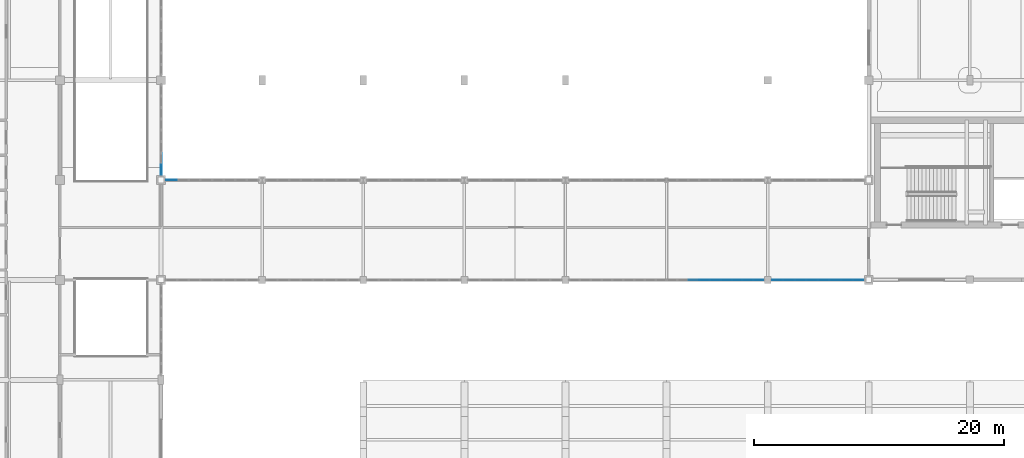
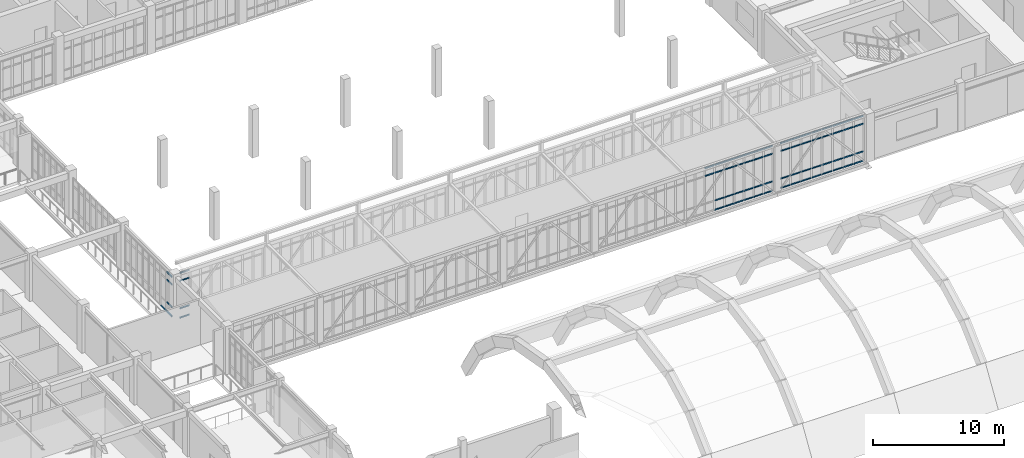
# One storey, part 24 of 67: 67 members, 4 elements without a shape of their own.
"""IFC4 building model written with IfcOpenShell, lengths in metres."""

from ifc_helpers import new_model, si_unit, direction, frame, origin, origin_2d, place, context, subcontext, project, spatial, rectangle, extrude, material, material_profile, profile_set, type_object, element, aggregate, save


model = new_model("IFC4")

# Units and contexts
model_context = context("Model", 3, precision=1e-05, world=origin(), true_north=direction((0.0, 1.0)))
body_context = subcontext(model_context, "Body", "Model", "MODEL_VIEW")
ifc_project = project(units=[si_unit("LENGTHUNIT", "METRE"), si_unit("AREAUNIT", "SQUARE_METRE"), si_unit("VOLUMEUNIT", "CUBIC_METRE"), si_unit("PLANEANGLEUNIT", "RADIAN"), si_unit("MASSUNIT", "GRAM", prefix="KILO")], contexts=[model_context])

# Site, building, storey
site_placement = place(None, origin())
site = spatial("IfcSite", under=ifc_project, at=site_placement, CompositionType="ELEMENT")
building_placement = place(site_placement, origin())
building = spatial("IfcBuilding", under=site, at=building_placement, Name="Tarnveldt Square Police Headquarters", CompositionType="ELEMENT")
storey_placement = place(building_placement, frame((0.0, 0.0, 10.199951171875)))
storey = spatial("IfcBuildingStorey", under=building, at=storey_placement, Name="L02", CompositionType="ELEMENT", Elevation=10.199951171875)

# Curtain wall, members
ifc_material_1 = material(Name="Triple-glazed low-e laminated vision glass", Category="glass")
curtain_wall_type_1 = type_object("IfcCurtainWallType", Name="CW-SB-781x424", PredefinedType="USERDEFINED", material=ifc_material_1)
curtain_wall_1_placement = place(storey_placement, origin())
curtain_wall_1 = element("IfcCurtainWall", 1, at=curtain_wall_1_placement, inside=storey, type_object=curtain_wall_type_1, Name="L02 Curtain Wall CW-L02-143", ObjectType="GLAZED CURTAIN WALL", PredefinedType="USERDEFINED")
ifc_material_2 = material(Name="Thermally broken anodised aluminium 6063-T6", Category="aluminium")
ifc_material_profile_1 = material_profile(ifc_material_2, rectangle(XDim=0.06494140625, YDim=0.1201171875, at=origin_2d()), Name="CW-T65x120")
ifc_profile_set_1 = profile_set([ifc_material_profile_1], Name="Thermally broken anodised aluminium 6063-T6")
member_type_1 = type_object("IfcMemberType", Name="CWT-65x120", PredefinedType="USERDEFINED", material=ifc_profile_set_1)
member_1_placement = place(storey_placement, frame((90.8681640625, 56.0, 3.489990234375), z_axis=(1.0, 0.0, 0.0), x_axis=(0.0, 1.0, 0.0)))
member_1 = element("IfcMember", 2, at=member_1_placement, type_object=member_type_1, Name="CW-SB87 transom 3.3", ObjectType="TRANSOM", PredefinedType="USERDEFINED", context=body_context, shape_type="SweptSolid", body=[
    extrude(rectangle(XDim=0.06494140625, YDim=0.1201171875, at=origin_2d()), origin(), (0.0, 0.0, 1.0), 0.802734375),
])
member_2_placement = place(storey_placement, frame((90.8681640625, 56.0, 4.20751953125), z_axis=(1.0, 0.0, 0.0), x_axis=(0.0, 1.0, 0.0)))
member_2 = element("IfcMember", 3, at=member_2_placement, type_object=member_type_1, Name="CW-SB87 transom 3.4", ObjectType="TRANSOM", PredefinedType="USERDEFINED", context=body_context, shape_type="SweptSolid", body=[
    extrude(rectangle(XDim=0.06494140625, YDim=0.1201171875, at=origin_2d()), origin(), (0.0, 0.0, 1.0), 0.802734375),
])
member_3_placement = place(storey_placement, frame((91.73583984375, 56.0, 0.032470703125), z_axis=(1.0, 0.0, 0.0), x_axis=(0.0, 1.0, 0.0)))
member_3 = element("IfcMember", 4, at=member_3_placement, type_object=member_type_1, Name="CW-SB87 transom 4.1", ObjectType="TRANSOM", PredefinedType="USERDEFINED", context=body_context, shape_type="SweptSolid", body=[
    extrude(rectangle(XDim=0.06494140625, YDim=0.1201171875, at=origin_2d()), origin(), (0.0, 0.0, 1.0), 0.802734375),
])
member_4_placement = place(storey_placement, frame((91.73583984375, 56.0, 0.900146484375), z_axis=(1.0, 0.0, 0.0), x_axis=(0.0, 1.0, 0.0)))
member_4 = element("IfcMember", 5, at=member_4_placement, type_object=member_type_1, Name="CW-SB87 transom 4.2", ObjectType="TRANSOM", PredefinedType="USERDEFINED", context=body_context, shape_type="SweptSolid", body=[
    extrude(rectangle(XDim=0.06494140625, YDim=0.1201171875, at=origin_2d()), origin(), (0.0, 0.0, 1.0), 0.802734375),
])
member_5_placement = place(storey_placement, frame((91.73583984375, 56.0, 3.489990234375), z_axis=(1.0, 0.0, 0.0), x_axis=(0.0, 1.0, 0.0)))
member_5 = element("IfcMember", 6, at=member_5_placement, type_object=member_type_1, Name="CW-SB87 transom 4.3", ObjectType="TRANSOM", PredefinedType="USERDEFINED", context=body_context, shape_type="SweptSolid", body=[
    extrude(rectangle(XDim=0.06494140625, YDim=0.1201171875, at=origin_2d()), origin(), (0.0, 0.0, 1.0), 0.802734375),
])
member_6_placement = place(storey_placement, frame((91.73583984375, 56.0, 4.20751953125), z_axis=(1.0, 0.0, 0.0), x_axis=(0.0, 1.0, 0.0)))
member_6 = element("IfcMember", 7, at=member_6_placement, type_object=member_type_1, Name="CW-SB87 transom 4.4", ObjectType="TRANSOM", PredefinedType="USERDEFINED", context=body_context, shape_type="SweptSolid", body=[
    extrude(rectangle(XDim=0.06494140625, YDim=0.1201171875, at=origin_2d()), origin(), (0.0, 0.0, 1.0), 0.802734375),
])
member_7_placement = place(storey_placement, frame((92.603515625, 56.0, 0.032470703125), z_axis=(1.0, 0.0, 0.0), x_axis=(0.0, 1.0, 0.0)))
member_7 = element("IfcMember", 8, at=member_7_placement, type_object=member_type_1, Name="CW-SB87 transom 5.1", ObjectType="TRANSOM", PredefinedType="USERDEFINED", context=body_context, shape_type="SweptSolid", body=[
    extrude(rectangle(XDim=0.06494140625, YDim=0.1201171875, at=origin_2d()), origin(), (0.0, 0.0, 1.0), 0.802978515625),
])
member_8_placement = place(storey_placement, frame((92.603515625, 56.0, 0.900146484375), z_axis=(1.0, 0.0, 0.0), x_axis=(0.0, 1.0, 0.0)))
member_8 = element("IfcMember", 9, at=member_8_placement, type_object=member_type_1, Name="CW-SB87 transom 5.2", ObjectType="TRANSOM", PredefinedType="USERDEFINED", context=body_context, shape_type="SweptSolid", body=[
    extrude(rectangle(XDim=0.06494140625, YDim=0.1201171875, at=origin_2d()), origin(), (0.0, 0.0, 1.0), 0.802978515625),
])
member_9_placement = place(storey_placement, frame((92.603515625, 56.0, 3.489990234375), z_axis=(1.0, 0.0, 0.0), x_axis=(0.0, 1.0, 0.0)))
member_9 = element("IfcMember", 10, at=member_9_placement, type_object=member_type_1, Name="CW-SB87 transom 5.3", ObjectType="TRANSOM", PredefinedType="USERDEFINED", context=body_context, shape_type="SweptSolid", body=[
    extrude(rectangle(XDim=0.06494140625, YDim=0.1201171875, at=origin_2d()), origin(), (0.0, 0.0, 1.0), 0.802978515625),
])
member_10_placement = place(storey_placement, frame((92.603515625, 56.0, 4.20751953125), z_axis=(1.0, 0.0, 0.0), x_axis=(0.0, 1.0, 0.0)))
member_10 = element("IfcMember", 11, at=member_10_placement, type_object=member_type_1, Name="CW-SB87 transom 5.4", ObjectType="TRANSOM", PredefinedType="USERDEFINED", context=body_context, shape_type="SweptSolid", body=[
    extrude(rectangle(XDim=0.06494140625, YDim=0.1201171875, at=origin_2d()), origin(), (0.0, 0.0, 1.0), 0.802978515625),
])
member_11_placement = place(storey_placement, frame((93.471435546875, 56.0, 0.032470703125), z_axis=(1.0, 0.0, 0.0), x_axis=(0.0, 1.0, 0.0)))
member_11 = element("IfcMember", 12, at=member_11_placement, type_object=member_type_1, Name="CW-SB87 transom 6.1", ObjectType="TRANSOM", PredefinedType="USERDEFINED", context=body_context, shape_type="SweptSolid", body=[
    extrude(rectangle(XDim=0.06494140625, YDim=0.1201171875, at=origin_2d()), origin(), (0.0, 0.0, 1.0), 0.802734375),
])
member_12_placement = place(storey_placement, frame((93.471435546875, 56.0, 0.900146484375), z_axis=(1.0, 0.0, 0.0), x_axis=(0.0, 1.0, 0.0)))
member_12 = element("IfcMember", 13, at=member_12_placement, type_object=member_type_1, Name="CW-SB87 transom 6.2", ObjectType="TRANSOM", PredefinedType="USERDEFINED", context=body_context, shape_type="SweptSolid", body=[
    extrude(rectangle(XDim=0.06494140625, YDim=0.1201171875, at=origin_2d()), origin(), (0.0, 0.0, 1.0), 0.802734375),
])
member_13_placement = place(storey_placement, frame((93.471435546875, 56.0, 3.489990234375), z_axis=(1.0, 0.0, 0.0), x_axis=(0.0, 1.0, 0.0)))
member_13 = element("IfcMember", 14, at=member_13_placement, type_object=member_type_1, Name="CW-SB87 transom 6.3", ObjectType="TRANSOM", PredefinedType="USERDEFINED", context=body_context, shape_type="SweptSolid", body=[
    extrude(rectangle(XDim=0.06494140625, YDim=0.1201171875, at=origin_2d()), origin(), (0.0, 0.0, 1.0), 0.802734375),
])
member_14_placement = place(storey_placement, frame((93.471435546875, 56.0, 4.20751953125), z_axis=(1.0, 0.0, 0.0), x_axis=(0.0, 1.0, 0.0)))
member_14 = element("IfcMember", 15, at=member_14_placement, type_object=member_type_1, Name="CW-SB87 transom 6.4", ObjectType="TRANSOM", PredefinedType="USERDEFINED", context=body_context, shape_type="SweptSolid", body=[
    extrude(rectangle(XDim=0.06494140625, YDim=0.1201171875, at=origin_2d()), origin(), (0.0, 0.0, 1.0), 0.802734375),
])
member_15_placement = place(storey_placement, frame((94.339111328125, 56.0, 0.032470703125), z_axis=(1.0, 0.0, 0.0), x_axis=(0.0, 1.0, 0.0)))
member_15 = element("IfcMember", 16, at=member_15_placement, type_object=member_type_1, Name="CW-SB87 transom 7.1", ObjectType="TRANSOM", PredefinedType="USERDEFINED", context=body_context, shape_type="SweptSolid", body=[
    extrude(rectangle(XDim=0.06494140625, YDim=0.1201171875, at=origin_2d()), origin(), (0.0, 0.0, 1.0), 0.802734375),
])
member_16_placement = place(storey_placement, frame((94.339111328125, 56.0, 0.900146484375), z_axis=(1.0, 0.0, 0.0), x_axis=(0.0, 1.0, 0.0)))
member_16 = element("IfcMember", 17, at=member_16_placement, type_object=member_type_1, Name="CW-SB87 transom 7.2", ObjectType="TRANSOM", PredefinedType="USERDEFINED", context=body_context, shape_type="SweptSolid", body=[
    extrude(rectangle(XDim=0.06494140625, YDim=0.1201171875, at=origin_2d()), origin(), (0.0, 0.0, 1.0), 0.802734375),
])
member_17_placement = place(storey_placement, frame((94.339111328125, 56.0, 3.489990234375), z_axis=(1.0, 0.0, 0.0), x_axis=(0.0, 1.0, 0.0)))
member_17 = element("IfcMember", 18, at=member_17_placement, type_object=member_type_1, Name="CW-SB87 transom 7.3", ObjectType="TRANSOM", PredefinedType="USERDEFINED", context=body_context, shape_type="SweptSolid", body=[
    extrude(rectangle(XDim=0.06494140625, YDim=0.1201171875, at=origin_2d()), origin(), (0.0, 0.0, 1.0), 0.802734375),
])
member_18_placement = place(storey_placement, frame((94.339111328125, 56.0, 4.20751953125), z_axis=(1.0, 0.0, 0.0), x_axis=(0.0, 1.0, 0.0)))
member_18 = element("IfcMember", 19, at=member_18_placement, type_object=member_type_1, Name="CW-SB87 transom 7.4", ObjectType="TRANSOM", PredefinedType="USERDEFINED", context=body_context, shape_type="SweptSolid", body=[
    extrude(rectangle(XDim=0.06494140625, YDim=0.1201171875, at=origin_2d()), origin(), (0.0, 0.0, 1.0), 0.802734375),
])
member_19_placement = place(storey_placement, frame((95.20703125, 56.0, 0.032470703125), z_axis=(1.0, 0.0, 0.0), x_axis=(0.0, 1.0, 0.0)))
member_19 = element("IfcMember", 20, at=member_19_placement, type_object=member_type_1, Name="CW-SB87 transom 8.1", ObjectType="TRANSOM", PredefinedType="USERDEFINED", context=body_context, shape_type="SweptSolid", body=[
    extrude(rectangle(XDim=0.06494140625, YDim=0.1201171875, at=origin_2d()), origin(), (0.0, 0.0, 1.0), 0.802734375),
])
member_20_placement = place(storey_placement, frame((95.20703125, 56.0, 0.900146484375), z_axis=(1.0, 0.0, 0.0), x_axis=(0.0, 1.0, 0.0)))
member_20 = element("IfcMember", 21, at=member_20_placement, type_object=member_type_1, Name="CW-SB87 transom 8.2", ObjectType="TRANSOM", PredefinedType="USERDEFINED", context=body_context, shape_type="SweptSolid", body=[
    extrude(rectangle(XDim=0.06494140625, YDim=0.1201171875, at=origin_2d()), origin(), (0.0, 0.0, 1.0), 0.802734375),
])
member_21_placement = place(storey_placement, frame((95.20703125, 56.0, 3.489990234375), z_axis=(1.0, 0.0, 0.0), x_axis=(0.0, 1.0, 0.0)))
member_21 = element("IfcMember", 22, at=member_21_placement, type_object=member_type_1, Name="CW-SB87 transom 8.3", ObjectType="TRANSOM", PredefinedType="USERDEFINED", context=body_context, shape_type="SweptSolid", body=[
    extrude(rectangle(XDim=0.06494140625, YDim=0.1201171875, at=origin_2d()), origin(), (0.0, 0.0, 1.0), 0.802734375),
])
member_22_placement = place(storey_placement, frame((95.20703125, 56.0, 4.20751953125), z_axis=(1.0, 0.0, 0.0), x_axis=(0.0, 1.0, 0.0)))
member_22 = element("IfcMember", 23, at=member_22_placement, type_object=member_type_1, Name="CW-SB87 transom 8.4", ObjectType="TRANSOM", PredefinedType="USERDEFINED", context=body_context, shape_type="SweptSolid", body=[
    extrude(rectangle(XDim=0.06494140625, YDim=0.1201171875, at=origin_2d()), origin(), (0.0, 0.0, 1.0), 0.802734375),
])
member_23_placement = place(storey_placement, frame((96.07470703125, 56.0, 0.032470703125), z_axis=(1.0, 0.0, 0.0), x_axis=(0.0, 1.0, 0.0)))
member_23 = element("IfcMember", 24, at=member_23_placement, type_object=member_type_1, Name="CW-SB87 transom 9.1", ObjectType="TRANSOM", PredefinedType="USERDEFINED", context=body_context, shape_type="SweptSolid", body=[
    extrude(rectangle(XDim=0.06494140625, YDim=0.1201171875, at=origin_2d()), origin(), (0.0, 0.0, 1.0), 0.770263671875),
])
member_24_placement = place(storey_placement, frame((96.07470703125, 56.0, 0.900146484375), z_axis=(1.0, 0.0, 0.0), x_axis=(0.0, 1.0, 0.0)))
member_24 = element("IfcMember", 25, at=member_24_placement, type_object=member_type_1, Name="CW-SB87 transom 9.2", ObjectType="TRANSOM", PredefinedType="USERDEFINED", context=body_context, shape_type="SweptSolid", body=[
    extrude(rectangle(XDim=0.06494140625, YDim=0.1201171875, at=origin_2d()), origin(), (0.0, 0.0, 1.0), 0.770263671875),
])
member_25_placement = place(storey_placement, frame((96.07470703125, 56.0, 3.489990234375), z_axis=(1.0, 0.0, 0.0), x_axis=(0.0, 1.0, 0.0)))
member_25 = element("IfcMember", 26, at=member_25_placement, type_object=member_type_1, Name="CW-SB87 transom 9.3", ObjectType="TRANSOM", PredefinedType="USERDEFINED", context=body_context, shape_type="SweptSolid", body=[
    extrude(rectangle(XDim=0.06494140625, YDim=0.1201171875, at=origin_2d()), origin(), (0.0, 0.0, 1.0), 0.770263671875),
])
member_26_placement = place(storey_placement, frame((96.07470703125, 56.0, 4.20751953125), z_axis=(1.0, 0.0, 0.0), x_axis=(0.0, 1.0, 0.0)))
member_26 = element("IfcMember", 27, at=member_26_placement, type_object=member_type_1, Name="CW-SB87 transom 9.4", ObjectType="TRANSOM", PredefinedType="USERDEFINED", context=body_context, shape_type="SweptSolid", body=[
    extrude(rectangle(XDim=0.06494140625, YDim=0.1201171875, at=origin_2d()), origin(), (0.0, 0.0, 1.0), 0.770263671875),
])
aggregate(curtain_wall_1, [member_1, member_2, member_3, member_4, member_5, member_6, member_7, member_8, member_9, member_10, member_11, member_12, member_13, member_14, member_15, member_16, member_17, member_18, member_19, member_20, member_21, member_22, member_23, member_24, member_25, member_26])

curtain_wall_type_2 = type_object("IfcCurtainWallType", Name="CW-SB-745x424", PredefinedType="USERDEFINED", material=ifc_material_1)
curtain_wall_2_placement = place(storey_placement, origin())
curtain_wall_2 = element("IfcCurtainWall", 28, at=curtain_wall_2_placement, inside=storey, type_object=curtain_wall_type_2, Name="L02 Curtain Wall CW-L02-144", ObjectType="GLAZED CURTAIN WALL", PredefinedType="USERDEFINED")
member_27_placement = place(storey_placement, frame((97.554931640625, 56.0, 0.032470703125), z_axis=(1.0, 0.0, 0.0), x_axis=(0.0, 1.0, 0.0)))
member_27 = element("IfcMember", 29, at=member_27_placement, type_object=member_type_1, Name="CW-SB88 transom 1.1", ObjectType="TRANSOM", PredefinedType="USERDEFINED", context=body_context, shape_type="SweptSolid", body=[
    extrude(rectangle(XDim=0.06494140625, YDim=0.1201171875, at=origin_2d()), origin(), (0.0, 0.0, 1.0), 0.833251953125),
])
member_28_placement = place(storey_placement, frame((97.554931640625, 56.0, 0.900146484375), z_axis=(1.0, 0.0, 0.0), x_axis=(0.0, 1.0, 0.0)))
member_28 = element("IfcMember", 30, at=member_28_placement, type_object=member_type_1, Name="CW-SB88 transom 1.2", ObjectType="TRANSOM", PredefinedType="USERDEFINED", context=body_context, shape_type="SweptSolid", body=[
    extrude(rectangle(XDim=0.06494140625, YDim=0.1201171875, at=origin_2d()), origin(), (0.0, 0.0, 1.0), 0.833251953125),
])
member_29_placement = place(storey_placement, frame((97.554931640625, 56.0, 3.489990234375), z_axis=(1.0, 0.0, 0.0), x_axis=(0.0, 1.0, 0.0)))
member_29 = element("IfcMember", 31, at=member_29_placement, type_object=member_type_1, Name="CW-SB88 transom 1.3", ObjectType="TRANSOM", PredefinedType="USERDEFINED", context=body_context, shape_type="SweptSolid", body=[
    extrude(rectangle(XDim=0.06494140625, YDim=0.1201171875, at=origin_2d()), origin(), (0.0, 0.0, 1.0), 0.833251953125),
])
member_30_placement = place(storey_placement, frame((97.554931640625, 56.0, 4.20751953125), z_axis=(1.0, 0.0, 0.0), x_axis=(0.0, 1.0, 0.0)))
member_30 = element("IfcMember", 32, at=member_30_placement, type_object=member_type_1, Name="CW-SB88 transom 1.4", ObjectType="TRANSOM", PredefinedType="USERDEFINED", context=body_context, shape_type="SweptSolid", body=[
    extrude(rectangle(XDim=0.06494140625, YDim=0.1201171875, at=origin_2d()), origin(), (0.0, 0.0, 1.0), 0.833251953125),
])
member_31_placement = place(storey_placement, frame((98.453125, 56.0, 0.032470703125), z_axis=(1.0, 0.0, 0.0), x_axis=(0.0, 1.0, 0.0)))
member_31 = element("IfcMember", 33, at=member_31_placement, type_object=member_type_1, Name="CW-SB88 transom 2.1", ObjectType="TRANSOM", PredefinedType="USERDEFINED", context=body_context, shape_type="SweptSolid", body=[
    extrude(rectangle(XDim=0.06494140625, YDim=0.1201171875, at=origin_2d()), origin(), (0.0, 0.0, 1.0), 0.86572265625),
])
member_32_placement = place(storey_placement, frame((98.453125, 56.0, 0.900146484375), z_axis=(1.0, 0.0, 0.0), x_axis=(0.0, 1.0, 0.0)))
member_32 = element("IfcMember", 34, at=member_32_placement, type_object=member_type_1, Name="CW-SB88 transom 2.2", ObjectType="TRANSOM", PredefinedType="USERDEFINED", context=body_context, shape_type="SweptSolid", body=[
    extrude(rectangle(XDim=0.06494140625, YDim=0.1201171875, at=origin_2d()), origin(), (0.0, 0.0, 1.0), 0.86572265625),
])
member_33_placement = place(storey_placement, frame((98.453125, 56.0, 3.489990234375), z_axis=(1.0, 0.0, 0.0), x_axis=(0.0, 1.0, 0.0)))
member_33 = element("IfcMember", 35, at=member_33_placement, type_object=member_type_1, Name="CW-SB88 transom 2.3", ObjectType="TRANSOM", PredefinedType="USERDEFINED", context=body_context, shape_type="SweptSolid", body=[
    extrude(rectangle(XDim=0.06494140625, YDim=0.1201171875, at=origin_2d()), origin(), (0.0, 0.0, 1.0), 0.86572265625),
])
member_34_placement = place(storey_placement, frame((98.453125, 56.0, 4.20751953125), z_axis=(1.0, 0.0, 0.0), x_axis=(0.0, 1.0, 0.0)))
member_34 = element("IfcMember", 36, at=member_34_placement, type_object=member_type_1, Name="CW-SB88 transom 2.4", ObjectType="TRANSOM", PredefinedType="USERDEFINED", context=body_context, shape_type="SweptSolid", body=[
    extrude(rectangle(XDim=0.06494140625, YDim=0.1201171875, at=origin_2d()), origin(), (0.0, 0.0, 1.0), 0.86572265625),
])
member_35_placement = place(storey_placement, frame((99.3837890625, 56.0, 0.032470703125), z_axis=(1.0, 0.0, 0.0), x_axis=(0.0, 1.0, 0.0)))
member_35 = element("IfcMember", 37, at=member_35_placement, type_object=member_type_1, Name="CW-SB88 transom 3.1", ObjectType="TRANSOM", PredefinedType="USERDEFINED", context=body_context, shape_type="SweptSolid", body=[
    extrude(rectangle(XDim=0.06494140625, YDim=0.1201171875, at=origin_2d()), origin(), (0.0, 0.0, 1.0), 0.865478515625),
])
member_36_placement = place(storey_placement, frame((99.3837890625, 56.0, 0.900146484375), z_axis=(1.0, 0.0, 0.0), x_axis=(0.0, 1.0, 0.0)))
member_36 = element("IfcMember", 38, at=member_36_placement, type_object=member_type_1, Name="CW-SB88 transom 3.2", ObjectType="TRANSOM", PredefinedType="USERDEFINED", context=body_context, shape_type="SweptSolid", body=[
    extrude(rectangle(XDim=0.06494140625, YDim=0.1201171875, at=origin_2d()), origin(), (0.0, 0.0, 1.0), 0.865478515625),
])
member_37_placement = place(storey_placement, frame((99.3837890625, 56.0, 3.489990234375), z_axis=(1.0, 0.0, 0.0), x_axis=(0.0, 1.0, 0.0)))
member_37 = element("IfcMember", 39, at=member_37_placement, type_object=member_type_1, Name="CW-SB88 transom 3.3", ObjectType="TRANSOM", PredefinedType="USERDEFINED", context=body_context, shape_type="SweptSolid", body=[
    extrude(rectangle(XDim=0.06494140625, YDim=0.1201171875, at=origin_2d()), origin(), (0.0, 0.0, 1.0), 0.865478515625),
])
member_38_placement = place(storey_placement, frame((99.3837890625, 56.0, 4.20751953125), z_axis=(1.0, 0.0, 0.0), x_axis=(0.0, 1.0, 0.0)))
member_38 = element("IfcMember", 40, at=member_38_placement, type_object=member_type_1, Name="CW-SB88 transom 3.4", ObjectType="TRANSOM", PredefinedType="USERDEFINED", context=body_context, shape_type="SweptSolid", body=[
    extrude(rectangle(XDim=0.06494140625, YDim=0.1201171875, at=origin_2d()), origin(), (0.0, 0.0, 1.0), 0.865478515625),
])
member_39_placement = place(storey_placement, frame((100.314453125, 56.0, 0.032470703125), z_axis=(1.0, 0.0, 0.0), x_axis=(0.0, 1.0, 0.0)))
member_39 = element("IfcMember", 41, at=member_39_placement, type_object=member_type_1, Name="CW-SB88 transom 4.1", ObjectType="TRANSOM", PredefinedType="USERDEFINED", context=body_context, shape_type="SweptSolid", body=[
    extrude(rectangle(XDim=0.06494140625, YDim=0.1201171875, at=origin_2d()), origin(), (0.0, 0.0, 1.0), 0.865478515625),
])
member_40_placement = place(storey_placement, frame((100.314453125, 56.0, 0.900146484375), z_axis=(1.0, 0.0, 0.0), x_axis=(0.0, 1.0, 0.0)))
member_40 = element("IfcMember", 42, at=member_40_placement, type_object=member_type_1, Name="CW-SB88 transom 4.2", ObjectType="TRANSOM", PredefinedType="USERDEFINED", context=body_context, shape_type="SweptSolid", body=[
    extrude(rectangle(XDim=0.06494140625, YDim=0.1201171875, at=origin_2d()), origin(), (0.0, 0.0, 1.0), 0.865478515625),
])
member_41_placement = place(storey_placement, frame((100.314453125, 56.0, 3.489990234375), z_axis=(1.0, 0.0, 0.0), x_axis=(0.0, 1.0, 0.0)))
member_41 = element("IfcMember", 43, at=member_41_placement, type_object=member_type_1, Name="CW-SB88 transom 4.3", ObjectType="TRANSOM", PredefinedType="USERDEFINED", context=body_context, shape_type="SweptSolid", body=[
    extrude(rectangle(XDim=0.06494140625, YDim=0.1201171875, at=origin_2d()), origin(), (0.0, 0.0, 1.0), 0.865478515625),
])
member_42_placement = place(storey_placement, frame((100.314453125, 56.0, 4.20751953125), z_axis=(1.0, 0.0, 0.0), x_axis=(0.0, 1.0, 0.0)))
member_42 = element("IfcMember", 44, at=member_42_placement, type_object=member_type_1, Name="CW-SB88 transom 4.4", ObjectType="TRANSOM", PredefinedType="USERDEFINED", context=body_context, shape_type="SweptSolid", body=[
    extrude(rectangle(XDim=0.06494140625, YDim=0.1201171875, at=origin_2d()), origin(), (0.0, 0.0, 1.0), 0.865478515625),
])
member_43_placement = place(storey_placement, frame((101.2451171875, 56.0, 0.032470703125), z_axis=(1.0, 0.0, 0.0), x_axis=(0.0, 1.0, 0.0)))
member_43 = element("IfcMember", 45, at=member_43_placement, type_object=member_type_1, Name="CW-SB88 transom 5.1", ObjectType="TRANSOM", PredefinedType="USERDEFINED", context=body_context, shape_type="SweptSolid", body=[
    extrude(rectangle(XDim=0.06494140625, YDim=0.1201171875, at=origin_2d()), origin(), (0.0, 0.0, 1.0), 0.865478515625),
])
member_44_placement = place(storey_placement, frame((101.2451171875, 56.0, 0.900146484375), z_axis=(1.0, 0.0, 0.0), x_axis=(0.0, 1.0, 0.0)))
member_44 = element("IfcMember", 46, at=member_44_placement, type_object=member_type_1, Name="CW-SB88 transom 5.2", ObjectType="TRANSOM", PredefinedType="USERDEFINED", context=body_context, shape_type="SweptSolid", body=[
    extrude(rectangle(XDim=0.06494140625, YDim=0.1201171875, at=origin_2d()), origin(), (0.0, 0.0, 1.0), 0.865478515625),
])
member_45_placement = place(storey_placement, frame((101.2451171875, 56.0, 3.489990234375), z_axis=(1.0, 0.0, 0.0), x_axis=(0.0, 1.0, 0.0)))
member_45 = element("IfcMember", 47, at=member_45_placement, type_object=member_type_1, Name="CW-SB88 transom 5.3", ObjectType="TRANSOM", PredefinedType="USERDEFINED", context=body_context, shape_type="SweptSolid", body=[
    extrude(rectangle(XDim=0.06494140625, YDim=0.1201171875, at=origin_2d()), origin(), (0.0, 0.0, 1.0), 0.865478515625),
])
member_46_placement = place(storey_placement, frame((101.2451171875, 56.0, 4.20751953125), z_axis=(1.0, 0.0, 0.0), x_axis=(0.0, 1.0, 0.0)))
member_46 = element("IfcMember", 48, at=member_46_placement, type_object=member_type_1, Name="CW-SB88 transom 5.4", ObjectType="TRANSOM", PredefinedType="USERDEFINED", context=body_context, shape_type="SweptSolid", body=[
    extrude(rectangle(XDim=0.06494140625, YDim=0.1201171875, at=origin_2d()), origin(), (0.0, 0.0, 1.0), 0.865478515625),
])
member_47_placement = place(storey_placement, frame((102.175537109375, 56.0, 0.032470703125), z_axis=(1.0, 0.0, 0.0), x_axis=(0.0, 1.0, 0.0)))
member_47 = element("IfcMember", 49, at=member_47_placement, type_object=member_type_1, Name="CW-SB88 transom 6.1", ObjectType="TRANSOM", PredefinedType="USERDEFINED", context=body_context, shape_type="SweptSolid", body=[
    extrude(rectangle(XDim=0.06494140625, YDim=0.1201171875, at=origin_2d()), origin(), (0.0, 0.0, 1.0), 0.86572265625),
])
member_48_placement = place(storey_placement, frame((102.175537109375, 56.0, 0.900146484375), z_axis=(1.0, 0.0, 0.0), x_axis=(0.0, 1.0, 0.0)))
member_48 = element("IfcMember", 50, at=member_48_placement, type_object=member_type_1, Name="CW-SB88 transom 6.2", ObjectType="TRANSOM", PredefinedType="USERDEFINED", context=body_context, shape_type="SweptSolid", body=[
    extrude(rectangle(XDim=0.06494140625, YDim=0.1201171875, at=origin_2d()), origin(), (0.0, 0.0, 1.0), 0.86572265625),
])
member_49_placement = place(storey_placement, frame((102.175537109375, 56.0, 3.489990234375), z_axis=(1.0, 0.0, 0.0), x_axis=(0.0, 1.0, 0.0)))
member_49 = element("IfcMember", 51, at=member_49_placement, type_object=member_type_1, Name="CW-SB88 transom 6.3", ObjectType="TRANSOM", PredefinedType="USERDEFINED", context=body_context, shape_type="SweptSolid", body=[
    extrude(rectangle(XDim=0.06494140625, YDim=0.1201171875, at=origin_2d()), origin(), (0.0, 0.0, 1.0), 0.86572265625),
])
member_50_placement = place(storey_placement, frame((102.175537109375, 56.0, 4.20751953125), z_axis=(1.0, 0.0, 0.0), x_axis=(0.0, 1.0, 0.0)))
member_50 = element("IfcMember", 52, at=member_50_placement, type_object=member_type_1, Name="CW-SB88 transom 6.4", ObjectType="TRANSOM", PredefinedType="USERDEFINED", context=body_context, shape_type="SweptSolid", body=[
    extrude(rectangle(XDim=0.06494140625, YDim=0.1201171875, at=origin_2d()), origin(), (0.0, 0.0, 1.0), 0.86572265625),
])
member_51_placement = place(storey_placement, frame((103.106201171875, 56.0, 0.032470703125), z_axis=(1.0, 0.0, 0.0), x_axis=(0.0, 1.0, 0.0)))
member_51 = element("IfcMember", 53, at=member_51_placement, type_object=member_type_1, Name="CW-SB88 transom 7.1", ObjectType="TRANSOM", PredefinedType="USERDEFINED", context=body_context, shape_type="SweptSolid", body=[
    extrude(rectangle(XDim=0.06494140625, YDim=0.1201171875, at=origin_2d()), origin(), (0.0, 0.0, 1.0), 0.86572265625),
])
member_52_placement = place(storey_placement, frame((103.106201171875, 56.0, 0.900146484375), z_axis=(1.0, 0.0, 0.0), x_axis=(0.0, 1.0, 0.0)))
member_52 = element("IfcMember", 54, at=member_52_placement, type_object=member_type_1, Name="CW-SB88 transom 7.2", ObjectType="TRANSOM", PredefinedType="USERDEFINED", context=body_context, shape_type="SweptSolid", body=[
    extrude(rectangle(XDim=0.06494140625, YDim=0.1201171875, at=origin_2d()), origin(), (0.0, 0.0, 1.0), 0.86572265625),
])
member_53_placement = place(storey_placement, frame((103.106201171875, 56.0, 3.489990234375), z_axis=(1.0, 0.0, 0.0), x_axis=(0.0, 1.0, 0.0)))
member_53 = element("IfcMember", 55, at=member_53_placement, type_object=member_type_1, Name="CW-SB88 transom 7.3", ObjectType="TRANSOM", PredefinedType="USERDEFINED", context=body_context, shape_type="SweptSolid", body=[
    extrude(rectangle(XDim=0.06494140625, YDim=0.1201171875, at=origin_2d()), origin(), (0.0, 0.0, 1.0), 0.86572265625),
])
member_54_placement = place(storey_placement, frame((103.106201171875, 56.0, 4.20751953125), z_axis=(1.0, 0.0, 0.0), x_axis=(0.0, 1.0, 0.0)))
member_54 = element("IfcMember", 56, at=member_54_placement, type_object=member_type_1, Name="CW-SB88 transom 7.4", ObjectType="TRANSOM", PredefinedType="USERDEFINED", context=body_context, shape_type="SweptSolid", body=[
    extrude(rectangle(XDim=0.06494140625, YDim=0.1201171875, at=origin_2d()), origin(), (0.0, 0.0, 1.0), 0.86572265625),
])
member_55_placement = place(storey_placement, frame((104.036865234375, 56.0, 0.032470703125), z_axis=(1.0, 0.0, 0.0), x_axis=(0.0, 1.0, 0.0)))
member_55 = element("IfcMember", 57, at=member_55_placement, type_object=member_type_1, Name="CW-SB88 transom 8.1", ObjectType="TRANSOM", PredefinedType="USERDEFINED", context=body_context, shape_type="SweptSolid", body=[
    extrude(rectangle(XDim=0.06494140625, YDim=0.1201171875, at=origin_2d()), origin(), (0.0, 0.0, 1.0), 0.833251953125),
])
member_56_placement = place(storey_placement, frame((104.036865234375, 56.0, 0.900146484375), z_axis=(1.0, 0.0, 0.0), x_axis=(0.0, 1.0, 0.0)))
member_56 = element("IfcMember", 58, at=member_56_placement, type_object=member_type_1, Name="CW-SB88 transom 8.2", ObjectType="TRANSOM", PredefinedType="USERDEFINED", context=body_context, shape_type="SweptSolid", body=[
    extrude(rectangle(XDim=0.06494140625, YDim=0.1201171875, at=origin_2d()), origin(), (0.0, 0.0, 1.0), 0.833251953125),
])
member_57_placement = place(storey_placement, frame((104.036865234375, 56.0, 3.489990234375), z_axis=(1.0, 0.0, 0.0), x_axis=(0.0, 1.0, 0.0)))
member_57 = element("IfcMember", 59, at=member_57_placement, type_object=member_type_1, Name="CW-SB88 transom 8.3", ObjectType="TRANSOM", PredefinedType="USERDEFINED", context=body_context, shape_type="SweptSolid", body=[
    extrude(rectangle(XDim=0.06494140625, YDim=0.1201171875, at=origin_2d()), origin(), (0.0, 0.0, 1.0), 0.833251953125),
])
member_58_placement = place(storey_placement, frame((104.036865234375, 56.0, 4.20751953125), z_axis=(1.0, 0.0, 0.0), x_axis=(0.0, 1.0, 0.0)))
member_58 = element("IfcMember", 60, at=member_58_placement, type_object=member_type_1, Name="CW-SB88 transom 8.4", ObjectType="TRANSOM", PredefinedType="USERDEFINED", context=body_context, shape_type="SweptSolid", body=[
    extrude(rectangle(XDim=0.06494140625, YDim=0.1201171875, at=origin_2d()), origin(), (0.0, 0.0, 1.0), 0.833251953125),
])
aggregate(curtain_wall_2, [member_27, member_28, member_29, member_30, member_31, member_32, member_33, member_34, member_35, member_36, member_37, member_38, member_39, member_40, member_41, member_42, member_43, member_44, member_45, member_46, member_47, member_48, member_49, member_50, member_51, member_52, member_53, member_54, member_55, member_56, member_57, member_58])

curtain_wall_type_3 = type_object("IfcCurtainWallType", Name="CW-SB-744x424", PredefinedType="USERDEFINED", material=ifc_material_1)
curtain_wall_3_placement = place(storey_placement, origin())
curtain_wall_3 = element("IfcCurtainWall", 61, at=curtain_wall_3_placement, inside=storey, type_object=curtain_wall_type_3, Name="L02 Curtain Wall CW-L02-145", ObjectType="GLAZED CURTAIN WALL", PredefinedType="USERDEFINED")
member_59_placement = place(storey_placement, frame((49.030029296875, 64.0, 0.032470703125), z_axis=(1.0, 0.0, 0.0), x_axis=(0.0, 1.0, 0.0)))
member_59 = element("IfcMember", 62, at=member_59_placement, type_object=member_type_1, Name="CW-SB85 transom 1.1", ObjectType="TRANSOM", PredefinedType="USERDEFINED", context=body_context, shape_type="SweptSolid", body=[
    extrude(rectangle(XDim=0.06494140625, YDim=0.1201171875, at=origin_2d()), origin(), (0.0, 0.0, 1.0), 0.8330078125),
])
member_60_placement = place(storey_placement, frame((49.030029296875, 64.0, 0.900146484375), z_axis=(1.0, 0.0, 0.0), x_axis=(0.0, 1.0, 0.0)))
member_60 = element("IfcMember", 63, at=member_60_placement, type_object=member_type_1, Name="CW-SB85 transom 1.2", ObjectType="TRANSOM", PredefinedType="USERDEFINED", context=body_context, shape_type="SweptSolid", body=[
    extrude(rectangle(XDim=0.06494140625, YDim=0.1201171875, at=origin_2d()), origin(), (0.0, 0.0, 1.0), 0.8330078125),
])
member_61_placement = place(storey_placement, frame((49.030029296875, 64.0, 3.489990234375), z_axis=(1.0, 0.0, 0.0), x_axis=(0.0, 1.0, 0.0)))
member_61 = element("IfcMember", 64, at=member_61_placement, type_object=member_type_1, Name="CW-SB85 transom 1.3", ObjectType="TRANSOM", PredefinedType="USERDEFINED", context=body_context, shape_type="SweptSolid", body=[
    extrude(rectangle(XDim=0.06494140625, YDim=0.1201171875, at=origin_2d()), origin(), (0.0, 0.0, 1.0), 0.8330078125),
])
member_62_placement = place(storey_placement, frame((49.030029296875, 64.0, 4.20751953125), z_axis=(1.0, 0.0, 0.0), x_axis=(0.0, 1.0, 0.0)))
member_62 = element("IfcMember", 65, at=member_62_placement, type_object=member_type_1, Name="CW-SB85 transom 1.4", ObjectType="TRANSOM", PredefinedType="USERDEFINED", context=body_context, shape_type="SweptSolid", body=[
    extrude(rectangle(XDim=0.06494140625, YDim=0.1201171875, at=origin_2d()), origin(), (0.0, 0.0, 1.0), 0.8330078125),
])
aggregate(curtain_wall_3, [member_59, member_60, member_61, member_62])

curtain_wall_type_4 = type_object("IfcCurtainWallType", Name="CW-WG-727x377", PredefinedType="USERDEFINED", material=ifc_material_1)
curtain_wall_4_placement = place(storey_placement, origin())
curtain_wall_4 = element("IfcCurtainWall", 66, at=curtain_wall_4_placement, inside=storey, type_object=curtain_wall_type_4, Name="L02 Curtain Wall CW-L02-074", ObjectType="GLAZED CURTAIN WALL", PredefinedType="USERDEFINED")
ifc_material_profile_2 = material_profile(ifc_material_2, rectangle(XDim=0.074951171875, YDim=0.14990234375, at=origin_2d()), Name="CW-T75x150")
ifc_profile_set_2 = profile_set([ifc_material_profile_2], Name="Thermally broken anodised aluminium 6063-T6")
member_type_2 = type_object("IfcMemberType", Name="CWT-75x150", PredefinedType="USERDEFINED", material=ifc_profile_set_2)
member_63_placement = place(storey_placement, frame((48.60009765625, 64.43994140625, 0.03759765625), z_axis=(0.0, 1.0, 0.0), x_axis=(-1.0, 0.0, 0.0)))
member_63 = element("IfcMember", 67, at=member_63_placement, type_object=member_type_2, Name="CW-WG34 transom 1.1", ObjectType="TRANSOM", PredefinedType="USERDEFINED", context=body_context, shape_type="SweptSolid", body=[
    extrude(rectangle(XDim=0.074951171875, YDim=0.14990234375, at=origin_2d()), origin(), (0.0, 0.0, 1.0), 0.79638671875),
])
member_64_placement = place(storey_placement, frame((48.60009765625, 64.43994140625, 0.900146484375), z_axis=(0.0, 1.0, 0.0), x_axis=(-1.0, 0.0, 0.0)))
member_64 = element("IfcMember", 68, at=member_64_placement, type_object=member_type_2, Name="CW-WG34 transom 1.2", ObjectType="TRANSOM", PredefinedType="USERDEFINED", context=body_context, shape_type="SweptSolid", body=[
    extrude(rectangle(XDim=0.074951171875, YDim=0.14990234375, at=origin_2d()), origin(), (0.0, 0.0, 1.0), 0.79638671875),
])
member_65_placement = place(storey_placement, frame((48.60009765625, 64.43994140625, 3.01904296875), z_axis=(0.0, 1.0, 0.0), x_axis=(-1.0, 0.0, 0.0)))
member_65 = element("IfcMember", 69, at=member_65_placement, type_object=member_type_2, Name="CW-WG34 transom 1.3", ObjectType="TRANSOM", PredefinedType="USERDEFINED", context=body_context, shape_type="SweptSolid", body=[
    extrude(rectangle(XDim=0.074951171875, YDim=0.14990234375, at=origin_2d()), origin(), (0.0, 0.0, 1.0), 0.79638671875),
])
member_66_placement = place(storey_placement, frame((48.60009765625, 64.43994140625, 3.7314453125), z_axis=(0.0, 1.0, 0.0), x_axis=(-1.0, 0.0, 0.0)))
member_66 = element("IfcMember", 70, at=member_66_placement, type_object=member_type_2, Name="CW-WG34 transom 1.4", ObjectType="TRANSOM", PredefinedType="USERDEFINED", context=body_context, shape_type="SweptSolid", body=[
    extrude(rectangle(XDim=0.074951171875, YDim=0.14990234375, at=origin_2d()), origin(), (0.0, 0.0, 1.0), 0.79638671875),
])
member_67_placement = place(storey_placement, frame((48.60009765625, 65.311279296875, 0.03759765625), z_axis=(0.0, 1.0, 0.0), x_axis=(-1.0, 0.0, 0.0)))
member_67 = element("IfcMember", 71, at=member_67_placement, type_object=member_type_2, Name="CW-WG34 transom 2.1", ObjectType="TRANSOM", PredefinedType="USERDEFINED", context=body_context, shape_type="SweptSolid", body=[
    extrude(rectangle(XDim=0.074951171875, YDim=0.14990234375, at=origin_2d()), origin(), (0.0, 0.0, 1.0), 0.833740234375),
])
aggregate(curtain_wall_4, [member_63, member_64, member_65, member_66, member_67])

save(model, "model.ifc")
